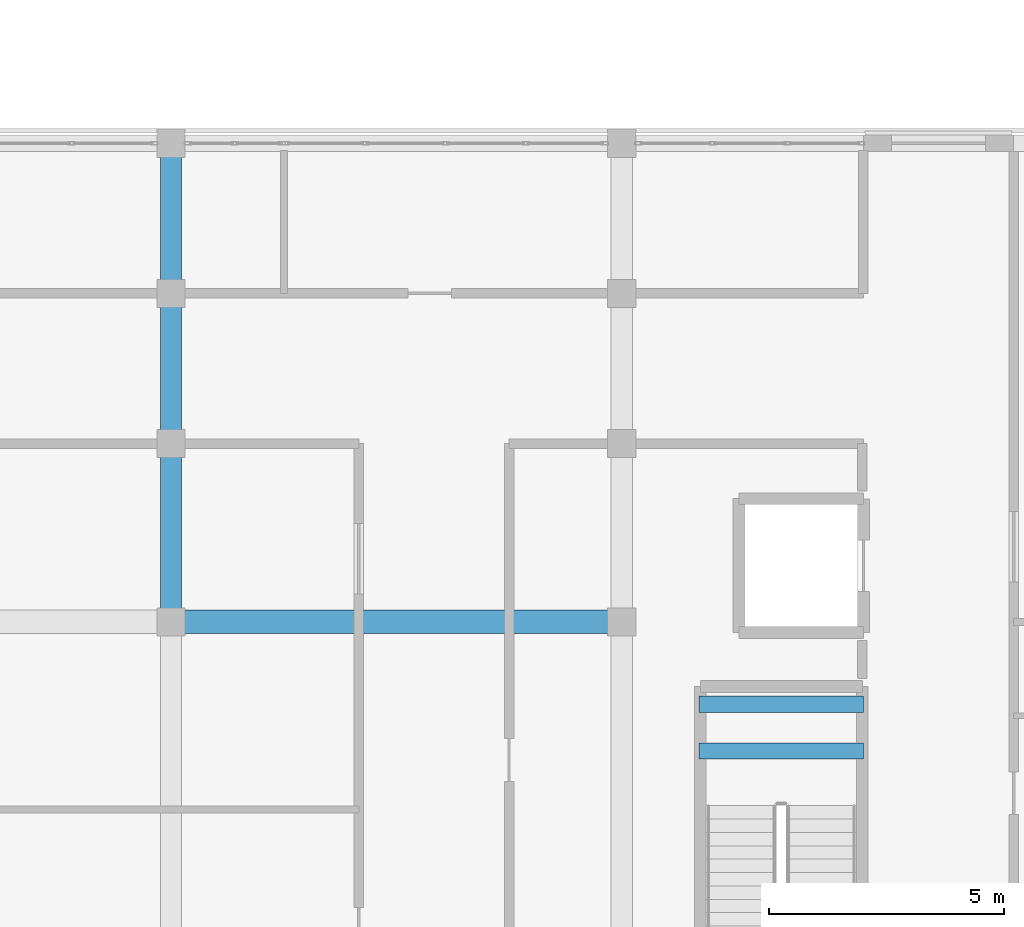
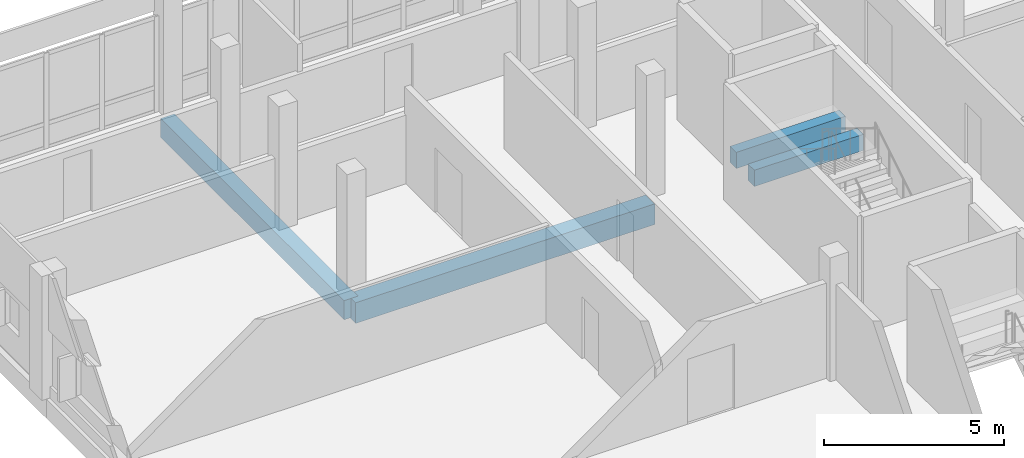
# One storey, part 99 of 185: 4 beams.
"""IFC4 building model written with IfcOpenShell, lengths in metres."""

from ifc_helpers import new_model, si_unit, direction, frame, origin, origin_2d, place, context, subcontext, project, spatial, rectangle, extrude, material, material_profile, profile_set, type_object, element, save


model = new_model("IFC4")

# Units and contexts
model_context = context("Model", 3, precision=1e-05, world=origin(), true_north=direction((0.0, 1.0)))
body_context = subcontext(model_context, "Body", "Model", "MODEL_VIEW")
ifc_project = project(units=[si_unit("LENGTHUNIT", "METRE"), si_unit("AREAUNIT", "SQUARE_METRE"), si_unit("VOLUMEUNIT", "CUBIC_METRE"), si_unit("PLANEANGLEUNIT", "RADIAN"), si_unit("MASSUNIT", "GRAM", prefix="KILO")], contexts=[model_context])

# Site, building, storey
site_placement = place(None, origin())
site = spatial("IfcSite", under=ifc_project, at=site_placement, CompositionType="ELEMENT")
building_placement = place(site_placement, origin())
building = spatial("IfcBuilding", under=site, at=building_placement, Name="Vondelvale Polytechnic", CompositionType="ELEMENT")
storey_placement = place(building_placement, frame((0.0, 0.0, 9.60009765625)))
storey = spatial("IfcBuildingStorey", under=building, at=storey_placement, Name="L02", CompositionType="ELEMENT", Elevation=9.60009765625)

# Beams
ifc_material = material(Name="Concrete N40 (f'c = 40 MPa)", Category="concrete")
ifc_material_profile_1 = material_profile(ifc_material, rectangle(XDim=0.35009765625, YDim=0.550048828125, at=origin_2d()), Name="RC-BM-350x550")
ifc_profile_set_1 = profile_set([ifc_material_profile_1], Name="Concrete N40 (f'c = 40 MPa)")
beam_type_1 = type_object("IfcBeamType", Name="BM-RC350x550", PredefinedType="BEAM", material=ifc_profile_set_1)
for number, where, z_axis, x_axis, name in (
    (1, (158.75, 17.64990234375, 1.625), (-1.0, 0.0, 0.0), (0.0, -1.0, 0.0), "L02 STLD B-06"),
    (2, (158.75, 18.64990234375, 1.625), (-1.0, 0.0, 0.0), (0.0, -1.0, 0.0), "L02 STLD B-06"),
):
    element("IfcBeam", number, at=place(storey_placement, frame(where, z_axis=z_axis, x_axis=x_axis)), inside=storey, type_object=beam_type_1, Name=name, PredefinedType="BEAM", context=body_context, shape_type="SweptSolid", body=[
        extrude(rectangle(XDim=0.35009765625, YDim=0.550048828125, at=origin_2d()), origin(), (0.0, 0.0, 1.0), 3.5),
    ])
ifc_material_profile_2 = material_profile(ifc_material, rectangle(XDim=0.449951171875, YDim=0.64990234375, at=origin_2d()), Name="RC-BM-450x650")
ifc_profile_set_2 = profile_set([ifc_material_profile_2], Name="Concrete N40 (f'c = 40 MPa)")
beam_type_2 = type_object("IfcBeamType", Name="BM-RC450x650", PredefinedType="BEAM", material=ifc_profile_set_2)
beam_1_placement = place(storey_placement, frame((144.0, 20.39990234375, -0.60498046875), z_axis=(0.0, 1.0, 0.0), x_axis=(-1.0, 0.0, 0.0)))
element("IfcBeam", 3, at=beam_1_placement, inside=storey, type_object=beam_type_2, Name="L02 B B-04", PredefinedType="BEAM", context=body_context, shape_type="SweptSolid", body=[
    extrude(rectangle(XDim=0.449951171875, YDim=0.64990234375, at=origin_2d()), origin(), (0.0, 0.0, 1.0), 10.2001953125),
])
ifc_material_profile_3 = material_profile(ifc_material, rectangle(XDim=0.5, YDim=0.699951171875, at=origin_2d()), Name="RC-BM-500x700")
ifc_profile_set_3 = profile_set([ifc_material_profile_3], Name="Concrete N40 (f'c = 40 MPa)")
beam_type_3 = type_object("IfcBeamType", Name="BM-RC500x700", PredefinedType="BEAM", material=ifc_profile_set_3)
beam_2_placement = place(storey_placement, frame((144.0, 20.39990234375, -0.630126953125), z_axis=(1.0, 0.0, 0.0), x_axis=(0.0, 1.0, 0.0)))
element("IfcBeam", 4, at=beam_2_placement, inside=storey, type_object=beam_type_3, Name="L02 B B-03", PredefinedType="BEAM", context=body_context, shape_type="SweptSolid", body=[
    extrude(rectangle(XDim=0.5, YDim=0.699951171875, at=origin_2d()), origin(), (0.0, 0.0, 1.0), 9.60009765625),
])

save(model, "model.ifc")
